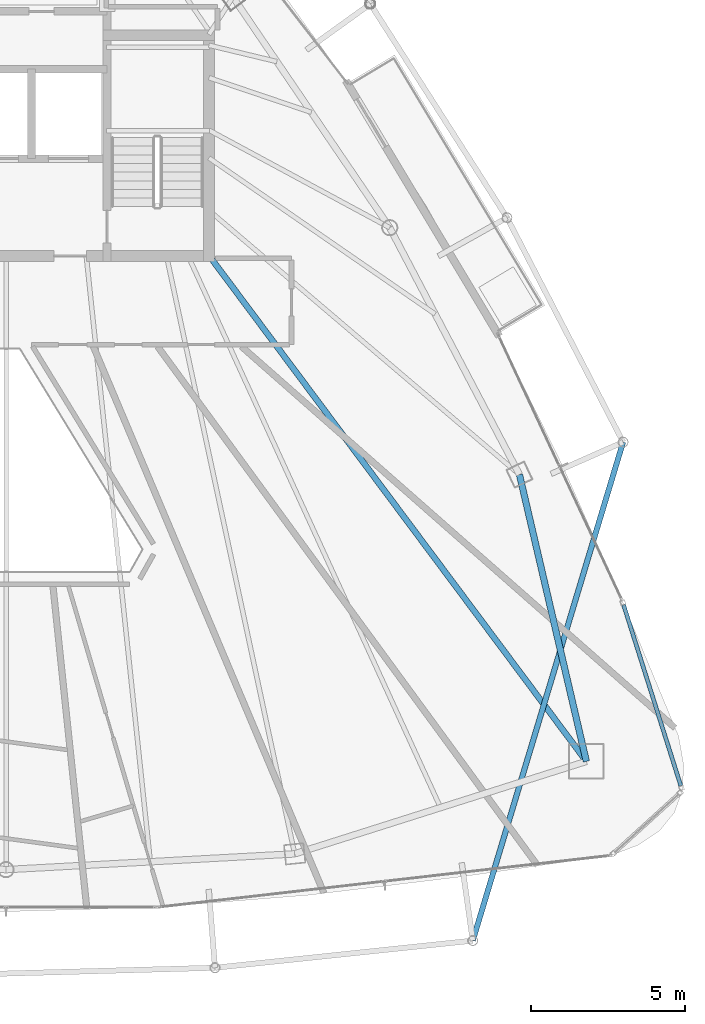
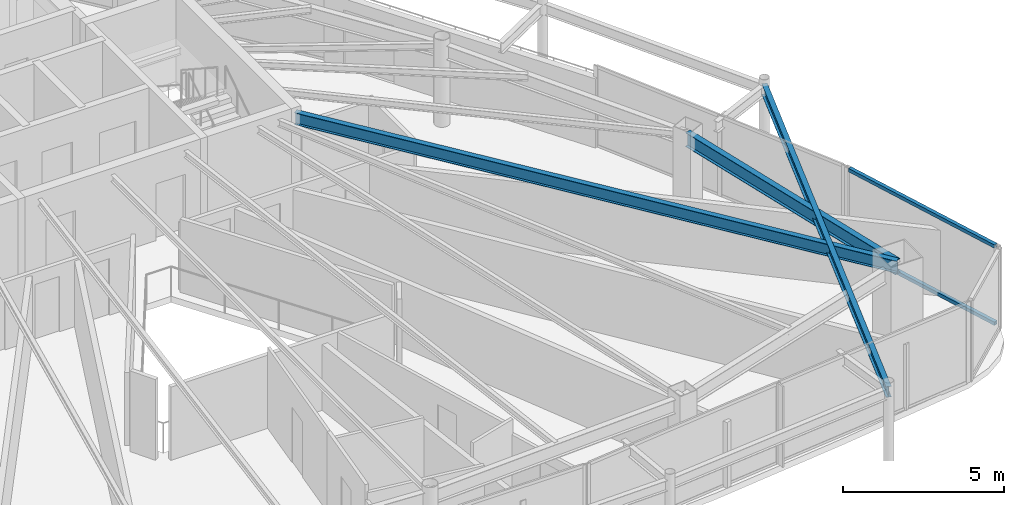
# One storey, part 15 of 28: 3 beams, 2 members, 1 element without a shape of its own.
"""IFC4 building model written with IfcOpenShell, lengths in metres."""

from ifc_helpers import new_model, si_unit, direction, frame, origin, origin_2d, place, context, subcontext, project, spatial, hollow_rectangle, i_section, extrude, material, layer, layer_set, material_profile, profile_set, type_object, element, aggregate, save


model = new_model("IFC4")

# Units and contexts
model_context = context("Model", 3, precision=1e-05, world=origin(), true_north=direction((0.0, 1.0)))
body_context = subcontext(model_context, "Body", "Model", "MODEL_VIEW")
ifc_project = project(units=[si_unit("LENGTHUNIT", "METRE"), si_unit("AREAUNIT", "SQUARE_METRE"), si_unit("VOLUMEUNIT", "CUBIC_METRE"), si_unit("PLANEANGLEUNIT", "RADIAN"), si_unit("MASSUNIT", "GRAM", prefix="KILO")], contexts=[model_context])

# Site, building, storey
site_placement = place(None, origin())
site = spatial("IfcSite", under=ifc_project, at=site_placement, CompositionType="ELEMENT")
building_placement = place(site_placement, origin())
building = spatial("IfcBuilding", under=site, at=building_placement, Name="Orvanel Arch Residences", CompositionType="ELEMENT")
storey_placement = place(building_placement, frame((0.0, 0.0, 260.14990234375)))
storey = spatial("IfcBuildingStorey", under=building, at=storey_placement, Name="L74", CompositionType="ELEMENT", Elevation=260.14990234375)

# Beams
ifc_material_1 = material(Name="Structural steel AS/NZS 3679.1 Grade 300 (300 MPa)", Category="steel")
ifc_material_profile_1 = material_profile(ifc_material_1, i_section(OverallWidth=0.19091796875, OverallDepth=0.4599609375, WebThickness=0.010009765625, FlangeThickness=0.01611328125, at=origin_2d()), Name="460UB82.1")
ifc_profile_set_1 = profile_set([ifc_material_profile_1], Name="Structural steel AS/NZS 3679.1 Grade 300 (300 MPa)")
beam_type_1 = type_object("IfcBeamType", Name="BG-460UB", PredefinedType="BEAM", material=ifc_profile_set_1)
beam_1_placement = place(storey_placement, frame((39.625, 26.675048828125, 2.830078125), z_axis=(0.597893733742, -0.801575375839, 0.0), x_axis=(0.801575375839, 0.597893733742, 0.0)))
element("IfcBeam", 1, at=beam_1_placement, inside=storey, type_object=beam_type_1, Name="L74 South-East Radial Girder", PredefinedType="BEAM", context=body_context, shape_type="SweptSolid", body=[
    extrude(i_section(OverallWidth=0.19091796875, OverallDepth=0.4599609375, WebThickness=0.010009765625, FlangeThickness=0.01611328125, at=origin_2d()), origin(), (0.0, 0.0, 1.0), 20.36474609375),
])
ifc_material_profile_2 = material_profile(ifc_material_1, i_section(OverallWidth=0.177978515625, OverallDepth=0.406005859375, WebThickness=0.0078125, FlangeThickness=0.0126953125, at=origin_2d()), Name="410UB59.7")
ifc_profile_set_2 = profile_set([ifc_material_profile_2], Name="Structural steel AS/NZS 3679.1 Grade 300 (300 MPa)")
beam_type_2 = type_object("IfcBeamType", Name="OB-410UB-EXT", PredefinedType="SPANDREL", material=ifc_profile_set_2)
beam_2_placement = place(storey_placement, frame((48.12109375, 4.5439453125, 2.857177734375), z_axis=(0.288681993316, 0.957425039747, 0.0), x_axis=(-0.957425039747, 0.288681993316, 0.0)))
element("IfcBeam", 2, at=beam_2_placement, inside=storey, type_object=beam_type_2, Name="L74 Outer Perimeter Floor Ring Beam 08", PredefinedType="SPANDREL", context=body_context, shape_type="SweptSolid", body=[
    extrude(i_section(OverallWidth=0.177978515625, OverallDepth=0.406005859375, WebThickness=0.0078125, FlangeThickness=0.0126953125, at=origin_2d()), origin(), (0.0, 0.0, 1.0), 16.869384765625),
])
ifc_material_profile_3 = material_profile(ifc_material_1, i_section(OverallWidth=0.208984375, OverallDepth=0.532958984375, WebThickness=0.01025390625, FlangeThickness=0.015625, at=origin_2d()), Name="530UB92.4")
ifc_profile_set_3 = profile_set([ifc_material_profile_3], Name="Structural steel AS/NZS 3679.1 Grade 300 (300 MPa)")
beam_type_3 = type_object("IfcBeamType", Name="SP-530UB", PredefinedType="SPANDREL", material=ifc_profile_set_3)
beam_3_placement = place(storey_placement, frame((51.801025390625, 10.35107421875, 2.793212890625), z_axis=(-0.227236087167, 0.973839699688, 0.0), x_axis=(-0.973839699688, -0.227236087167, 0.0)))
element("IfcBeam", 3, at=beam_3_placement, inside=storey, type_object=beam_type_3, Name="L74 Perimeter Spandrel Beam 06", PredefinedType="SPANDREL", context=body_context, shape_type="SweptSolid", body=[
    extrude(i_section(OverallWidth=0.208984375, OverallDepth=0.532958984375, WebThickness=0.01025390625, FlangeThickness=0.015625, at=origin_2d()), origin(), (0.0, 0.0, 1.0), 9.54052734375),
])

# Curtain wall, members
ifc_material_2 = material(Name="Bronze-anodised aluminium AA6063-T6", Category="aluminium")
ifc_layer = layer(ifc_material_2, 0.18994140625)
ifc_layer_set = layer_set([ifc_layer], Name="Bronze-anodised aluminium AA6063-T6")
curtain_wall_type = type_object("IfcCurtainWallType", Name="CW5-CRN-SYS", PredefinedType="NOTDEFINED", material=ifc_layer_set)
curtain_wall_placement = place(storey_placement, origin())
curtain_wall = element("IfcCurtainWall", 4, at=curtain_wall_placement, inside=storey, type_object=curtain_wall_type, Name="L74 CW5-CRN-SYS Unitised Curtain Wall", PredefinedType="NOTDEFINED")
ifc_material_profile_4 = material_profile(ifc_material_2, hollow_rectangle(XDim=0.1298828125, YDim=0.1298828125, WallThickness=0.00439453125, at=origin_2d()), Name="ALU130x130x4.5")
ifc_profile_set_4 = profile_set([ifc_material_profile_4], Name="Bronze-anodised aluminium AA6063-T6")
member_type = type_object("IfcMemberType", Name="TRN-130x130", PredefinedType="USERDEFINED", material=ifc_profile_set_4)
member_1_placement = place(storey_placement, frame((54.86083984375, 9.56005859375, 0.065185546875), z_axis=(-0.301633045761, 0.953424095408, 0.0), x_axis=(-0.953424095408, -0.301633045761, 0.0)))
member_1 = element("IfcMember", 5, at=member_1_placement, type_object=member_type, Name="CW-S5 transom 1.1", ObjectType="TRANSOM", PredefinedType="USERDEFINED", context=body_context, shape_type="SweptSolid", body=[
    extrude(hollow_rectangle(XDim=0.1298828125, YDim=0.1298828125, WallThickness=0.00439453125, at=origin_2d()), origin(), (0.0, 0.0, 1.0), 6.148193359375),
])
member_2_placement = place(storey_placement, frame((54.86083984375, 9.56005859375, 2.9951171875), z_axis=(-0.301633045761, 0.953424095408, 0.0), x_axis=(-0.953424095408, -0.301633045761, 0.0)))
member_2 = element("IfcMember", 6, at=member_2_placement, type_object=member_type, Name="CW-S5 transom 1.2", ObjectType="TRANSOM", PredefinedType="USERDEFINED", context=body_context, shape_type="SweptSolid", body=[
    extrude(hollow_rectangle(XDim=0.1298828125, YDim=0.1298828125, WallThickness=0.00439453125, at=origin_2d()), origin(), (0.0, 0.0, 1.0), 6.148193359375),
])
aggregate(curtain_wall, [member_1, member_2])

save(model, "model.ifc")
